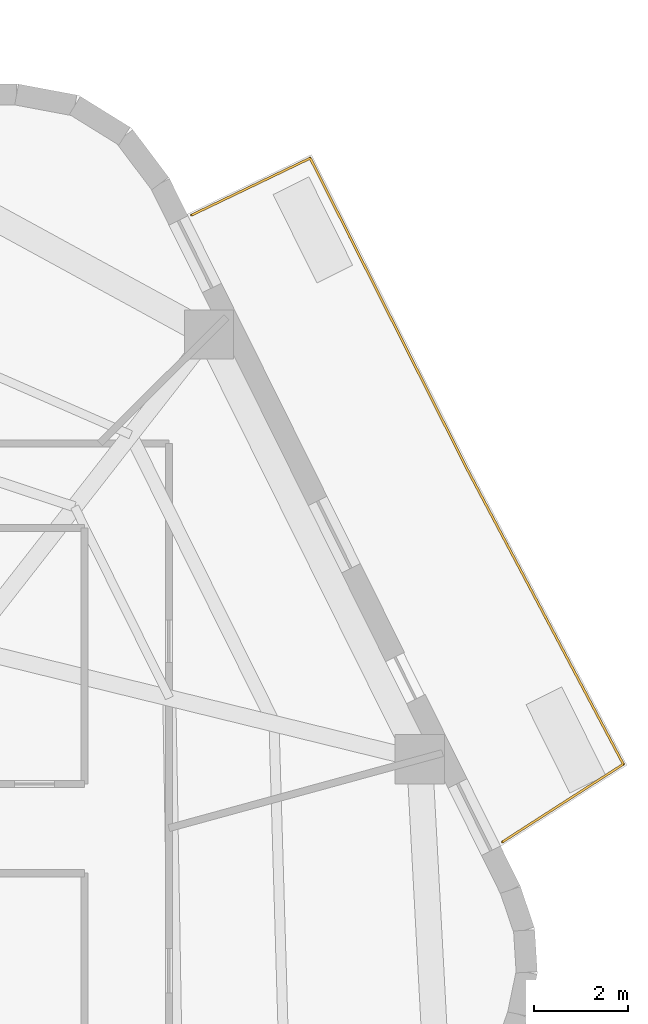
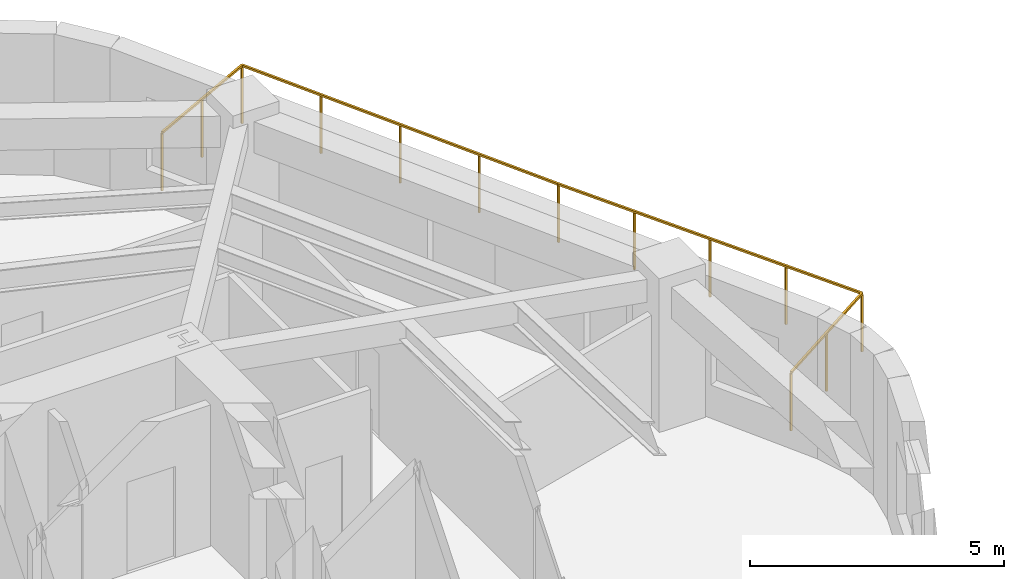
# One storey, part 10 of 10: 1 railing.
"""IFC4 building model written with IfcOpenShell, lengths in metres."""

from ifc_helpers import new_model, si_unit, direction, frame, origin, origin_2d, place, context, subcontext, project, spatial, rectangle, extrude, material, layer, layer_set, type_object, element, save


model = new_model("IFC4")

# Units and contexts
model_context = context("Model", 3, precision=1e-05, world=origin(), true_north=direction((0.0, 1.0)))
body_context = subcontext(model_context, "Body", "Model", "MODEL_VIEW")
ifc_project = project(units=[si_unit("LENGTHUNIT", "METRE"), si_unit("AREAUNIT", "SQUARE_METRE"), si_unit("VOLUMEUNIT", "CUBIC_METRE"), si_unit("PLANEANGLEUNIT", "RADIAN"), si_unit("MASSUNIT", "GRAM", prefix="KILO")], contexts=[model_context])

# Site, building, storey
site_placement = place(None, origin())
site = spatial("IfcSite", under=ifc_project, at=site_placement, CompositionType="ELEMENT")
building_placement = place(site_placement, origin())
building = spatial("IfcBuilding", under=site, at=building_placement, Name="Kilnhurst Terrace Hotel", CompositionType="ELEMENT")
storey_placement = place(building_placement, frame((0.0, 0.0, 151.699951171875)))
storey = spatial("IfcBuildingStorey", under=building, at=storey_placement, Name="L37", CompositionType="ELEMENT", Elevation=151.699951171875)

# Railing
ifc_material = material(Name="Laminated SentryGlas and Stainless Steel AISI 316L Balustrade", Category="steel")
ifc_layer = layer(ifc_material, 0.070068359375, Name="Laminated SentryGlas and Stainless Steel AISI 316L Balustrade")
ifc_layer_set = layer_set([ifc_layer], Name="Laminated SentryGlas and Stainless Steel AISI 316L Balustrade")
railing_type = type_object("IfcRailingType", Name="RLG-BAL-1420", PredefinedType="BALUSTRADE", material=ifc_layer_set)
railing_placement = place(storey_placement, frame((13.83544921875, 16.709716796875, 0.0)))
element("IfcRailing", 1, at=railing_placement, inside=storey, type_object=railing_type, Name="L37 Exterior Terrace Guardrail BAL-L1A.1", PredefinedType="BALUSTRADE", context=body_context, shape_type="SweptSolid", body=[
    extrude(rectangle(XDim=0.048095703125, YDim=0.048095703125, at=origin_2d()), frame((0.0, 0.0, 1.39599609375), z_axis=(0.901469931109, 0.43284173009, 0.0), x_axis=(-0.43284173009, 0.901469931109, 0.0)), (0.0, 0.0, 1.0), 2.797119140625),
    extrude(rectangle(XDim=0.048095703125, YDim=0.048095703125, at=origin_2d()), frame((2.521484375, 1.210693359375, 1.39599609375), z_axis=(0.450616671131, -0.892717545307, 0.0), x_axis=(0.892717545307, 0.450616671131, 0.0)), (0.0, 0.0, 1.0), 7.453857421875),
    extrude(rectangle(XDim=0.048095703125, YDim=0.048095703125, at=origin_2d()), frame((5.88037109375, -5.443603515625, 1.39599609375), z_axis=(0.4472135955, -0.894427191, 0.0), x_axis=(0.894427191, 0.4472135955, 0.0)), (0.0, 0.0, 1.0), 0.0009765625),
    extrude(rectangle(XDim=0.048095703125, YDim=0.048095703125, at=origin_2d()), frame((5.880859375, -5.444580078125, 1.39599609375), z_axis=(0.46789407085, -0.883784554325, 0.0), x_axis=(0.883784554325, 0.46789407085, 0.0)), (0.0, 0.0, 1.0), 7.0654296875),
    extrude(rectangle(XDim=0.048095703125, YDim=0.048095703125, at=origin_2d()), frame((9.186767578125, -11.68896484375, 1.39599609375), z_axis=(-0.841139546062, -0.540818143233, 0.0), x_axis=(0.540818143233, -0.841139546062, 0.0)), (0.0, 0.0, 1.0), 3.056640625),
    extrude(rectangle(XDim=0.0419921875, YDim=0.0419921875, at=origin_2d()), origin(), (0.0, 0.0, 1.0), 1.371826171875),
    extrude(rectangle(XDim=0.0419921875, YDim=0.0419921875, at=origin_2d()), frame((1.2607421875, 0.60546875, 0.0)), (0.0, 0.0, 1.0), 1.371826171875),
    extrude(rectangle(XDim=0.0419921875, YDim=0.0419921875, at=origin_2d()), frame((2.521484375, 1.210693359375, 0.0)), (0.0, 0.0, 1.0), 1.371826171875),
    extrude(rectangle(XDim=0.0419921875, YDim=0.0419921875, at=origin_2d()), frame((3.361328125, -0.452880859375, 0.0)), (0.0, 0.0, 1.0), 1.371826171875),
    extrude(rectangle(XDim=0.0419921875, YDim=0.0419921875, at=origin_2d()), frame((4.200927734375, -2.116455078125, 0.0)), (0.0, 0.0, 1.0), 1.371826171875),
    extrude(rectangle(XDim=0.0419921875, YDim=0.0419921875, at=origin_2d()), frame((5.04052734375, -3.780029296875, 0.0)), (0.0, 0.0, 1.0), 1.371826171875),
    extrude(rectangle(XDim=0.0419921875, YDim=0.0419921875, at=origin_2d()), frame((5.88037109375, -5.443603515625, 0.0)), (0.0, 0.0, 1.0), 1.371826171875),
    extrude(rectangle(XDim=0.0419921875, YDim=0.0419921875, at=origin_2d()), frame((5.880859375, -5.444580078125, 0.0)), (0.0, 0.0, 1.0), 1.371826171875),
    extrude(rectangle(XDim=0.0419921875, YDim=0.0419921875, at=origin_2d()), frame((6.707275390625, -7.005615234375, 0.0)), (0.0, 0.0, 1.0), 1.371826171875),
    extrude(rectangle(XDim=0.0419921875, YDim=0.0419921875, at=origin_2d()), frame((7.53369140625, -8.56689453125, 0.0)), (0.0, 0.0, 1.0), 1.371826171875),
    extrude(rectangle(XDim=0.0419921875, YDim=0.0419921875, at=origin_2d()), frame((8.3603515625, -10.1279296875, 0.0)), (0.0, 0.0, 1.0), 1.371826171875),
    extrude(rectangle(XDim=0.0419921875, YDim=0.0419921875, at=origin_2d()), frame((9.186767578125, -11.68896484375, 0.0)), (0.0, 0.0, 1.0), 1.371826171875),
    extrude(rectangle(XDim=0.0419921875, YDim=0.0419921875, at=origin_2d()), frame((7.9013671875, -12.515625, 0.0)), (0.0, 0.0, 1.0), 1.371826171875),
    extrude(rectangle(XDim=0.0419921875, YDim=0.0419921875, at=origin_2d()), frame((6.61572265625, -13.342041015625, 0.0)), (0.0, 0.0, 1.0), 1.371826171875),
])

save(model, "model.ifc")
